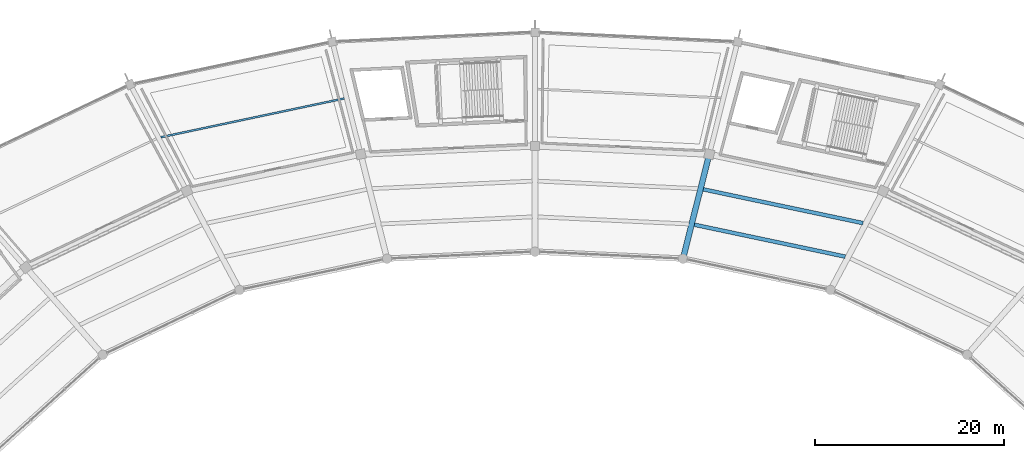
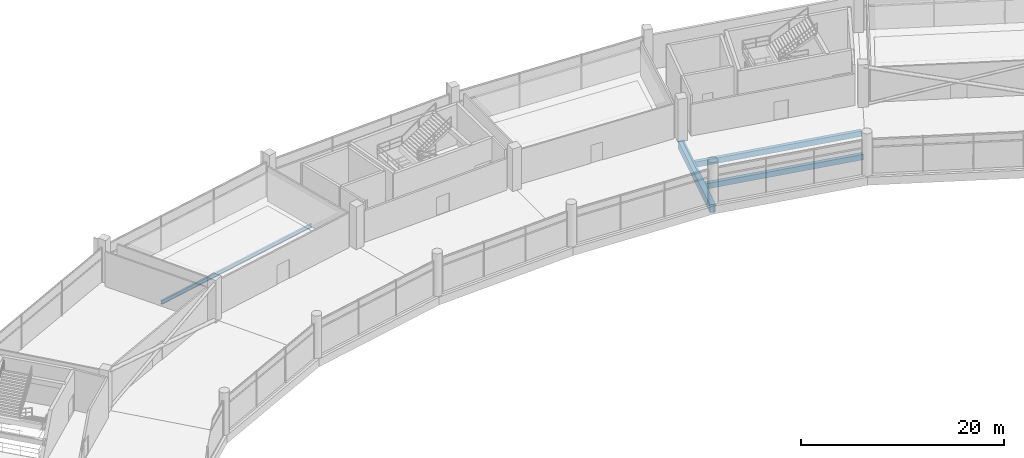
# One storey, part 113 of 184: 4 beams.
"""IFC4 building model written with IfcOpenShell, lengths in metres."""

from ifc_helpers import new_model, si_unit, direction, frame, origin, origin_2d, place, context, subcontext, project, spatial, rectangle, i_section, extrude, material, material_profile, profile_set, type_object, element, save


model = new_model("IFC4")

# Units and contexts
model_context = context("Model", 3, precision=1e-05, world=origin(), true_north=direction((0.0, 1.0)))
body_context = subcontext(model_context, "Body", "Model", "MODEL_VIEW")
ifc_project = project(units=[si_unit("LENGTHUNIT", "METRE"), si_unit("AREAUNIT", "SQUARE_METRE"), si_unit("VOLUMEUNIT", "CUBIC_METRE"), si_unit("PLANEANGLEUNIT", "RADIAN"), si_unit("MASSUNIT", "GRAM", prefix="KILO")], contexts=[model_context])

# Site, building, storey
site_placement = place(None, origin())
site = spatial("IfcSite", under=ifc_project, at=site_placement, CompositionType="ELEMENT")
building_placement = place(site_placement, origin())
building = spatial("IfcBuilding", under=site, at=building_placement, Name="Kazemori Nagisa Stadium", CompositionType="ELEMENT")
storey_placement = place(building_placement, frame((0.0, 0.0, 10.5400390625)))
storey = spatial("IfcBuildingStorey", under=building, at=storey_placement, Name="L02", CompositionType="ELEMENT", Elevation=10.5400390625)

# Beams
ifc_material_1 = material(Name="Concrete C40/50 (Fc42)", Category="concrete")
ifc_material_profile_1 = material_profile(ifc_material_1, rectangle(XDim=0.60009765625, YDim=0.949951171875, at=origin_2d()), Name="RC-BM-600x950")
ifc_profile_set_1 = profile_set([ifc_material_profile_1], Name="Concrete C40/50 (Fc42)")
beam_type_1 = type_object("IfcBeamType", Name="Beam_BG-RC600X950", PredefinedType="BEAM", material=ifc_profile_set_1)
beam_1_placement = place(storey_placement, frame((138.64208984375, 164.040283203125, -0.735107421875), z_axis=(0.244481205955, 0.969654031052, 0.0), x_axis=(-0.969654031052, 0.244481205955, 0.0)))
element("IfcBeam", 1, at=beam_1_placement, inside=storey, type_object=beam_type_1, Name="Radial girder BG-RC600X950 L02 R1-R2-07", PredefinedType="BEAM", context=body_context, shape_type="SweptSolid", body=[
    extrude(rectangle(XDim=0.60009765625, YDim=0.949951171875, at=origin_2d()), origin(), (0.0, 0.0, 1.0), 11.39404296875),
])
ifc_material_2 = material(Name="Steel SN490B", Category="steel")
ifc_material_profile_2 = material_profile(ifc_material_2, i_section(OverallWidth=0.199951171875, OverallDepth=0.449951171875, WebThickness=0.009033203125, FlangeThickness=0.013916015625, FilletRadius=0.012939453125, at=origin_2d()), Name="H-450x200x9x14")
ifc_profile_set_2 = profile_set([ifc_material_profile_2], Name="Steel SN490B")
beam_type_2 = type_object("IfcBeamType", Name="Beam_BJ-H450", PredefinedType="JOIST", material=ifc_profile_set_2)
beam_2_placement = place(storey_placement, frame((102.83251953125, 180.987060546875, -0.485107421875), z_axis=(-0.978345532316, -0.206978306584, 0.0), x_axis=(0.206978306584, -0.978345532316, 0.0)))
element("IfcBeam", 2, at=beam_2_placement, inside=storey, type_object=beam_type_2, Name="Outer bay joist BJ-H450 L02 B09", PredefinedType="JOIST", context=body_context, shape_type="SweptSolid", body=[
    extrude(i_section(OverallWidth=0.199951171875, OverallDepth=0.449951171875, WebThickness=0.009033203125, FlangeThickness=0.013916015625, FilletRadius=0.012939453125, at=origin_2d()), origin(), (0.0, 0.0, 1.0), 19.83056640625),
])
ifc_material_profile_3 = material_profile(ifc_material_1, rectangle(XDim=0.39990234375, YDim=0.64990234375, at=origin_2d()), Name="RC-BM-400x650")
ifc_profile_set_3 = profile_set([ifc_material_profile_3], Name="Concrete C40/50 (Fc42)")
beam_type_3 = type_object("IfcBeamType", Name="Beam_BJ-RC400X650", PredefinedType="JOIST", material=ifc_profile_set_3)
beam_3_placement = place(storey_placement, frame((155.799560546875, 164.260009765625, -0.5849609375), z_axis=(-0.978345737153, 0.206977338361, 0.0), x_axis=(-0.206977338361, -0.978345737153, 0.0)))
element("IfcBeam", 3, at=beam_3_placement, inside=storey, type_object=beam_type_3, Name="Concourse joist BJ-RC400X650 L02 B06-1", PredefinedType="JOIST", context=body_context, shape_type="SweptSolid", body=[
    extrude(rectangle(XDim=0.39990234375, YDim=0.64990234375, at=origin_2d()), origin(), (0.0, 0.0, 1.0), 16.30029296875),
])
beam_4_placement = place(storey_placement, frame((157.682861328125, 167.80029296875, -0.5849609375), z_axis=(-0.97834325925, 0.206989050628, 0.0), x_axis=(-0.206989050628, -0.97834325925, 0.0)))
element("IfcBeam", 4, at=beam_4_placement, inside=storey, type_object=beam_type_3, Name="Concourse joist BJ-RC400X650 L02 B06-2", PredefinedType="JOIST", context=body_context, shape_type="SweptSolid", body=[
    extrude(rectangle(XDim=0.39990234375, YDim=0.64990234375, at=origin_2d()), origin(), (0.0, 0.0, 1.0), 17.26171875),
])

save(model, "model.ifc")
